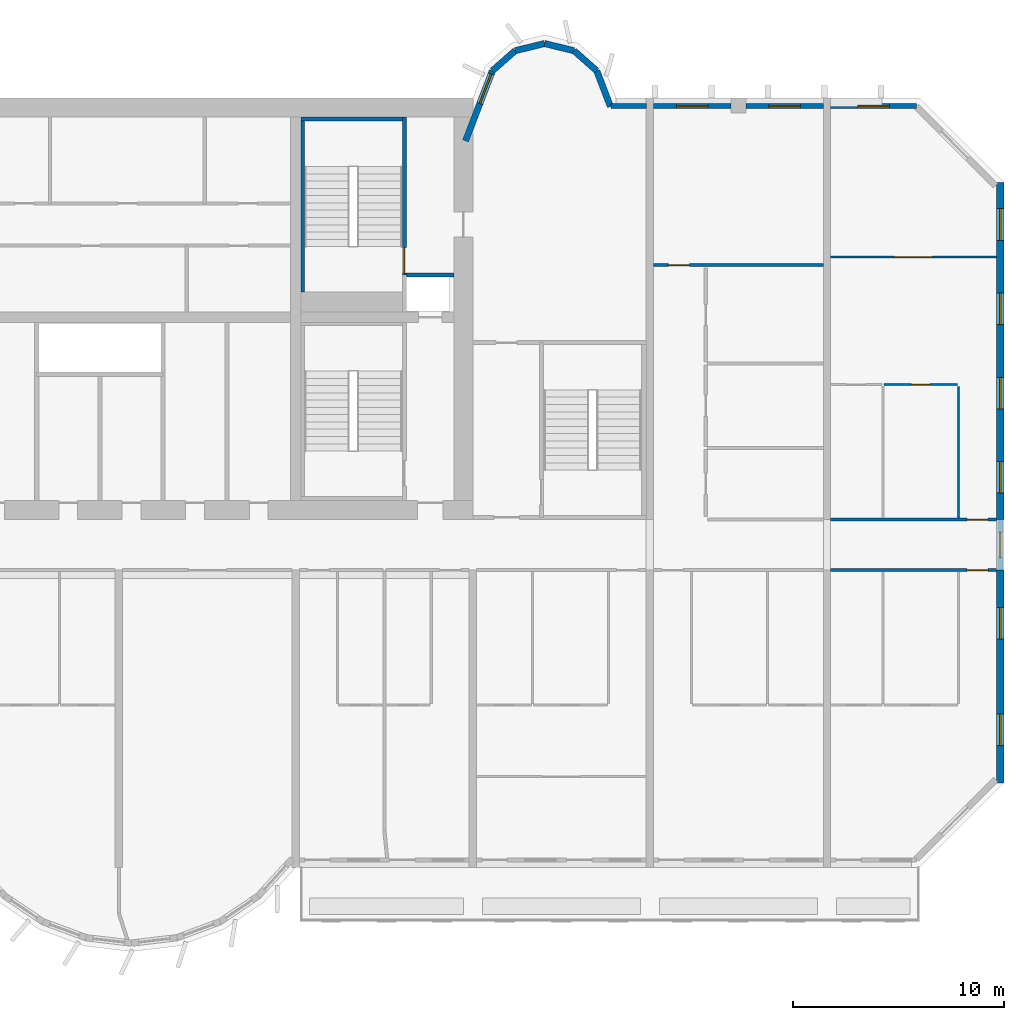
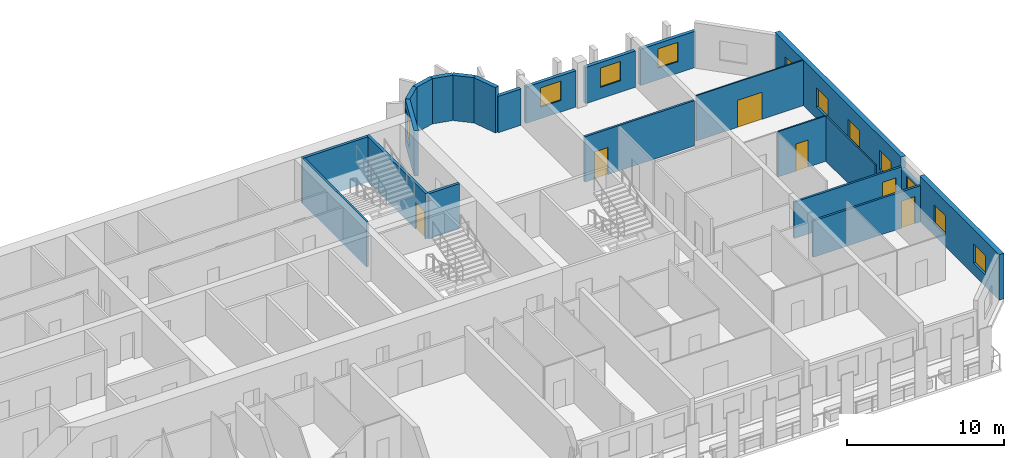
# One storey, part 10 of 14: 23 walls, 11 windows, 6 doors, 17 openings.
"""IFC4 building model written with IfcOpenShell, lengths in metres."""

import ifcopenshell
import ifcopenshell.guid

model = None  # the IFC model being written
_history = None  # IfcOwnerHistory: only IFC2X3 demands one
_inside = {}  # id of a spatial element -> (the spatial element, [elements in it])
_under = {}  # id of a project, library or spatial element -> (it, [spatial elements below it])
_declared = {}  # id of a project -> (the project, [libraries it declares])
_typed = {}  # id of a type object -> (the type object, [elements of that type])
_made_of = {}  # id of a material, layer set ... -> (it, [elements and type objects made of it])


def new_model(schema):
    """Start an empty IFC model of exactly this schema.

    Asked for "IFC4X3", IfcOpenShell would pick the latest addendum, in which some entities
    have other attributes; the version numbers below select the first issue.
    IFC2X3 requires an IfcOwnerHistory on every rooted entity: one is made here for all.
    """
    global model, _history
    if schema == "IFC4X3":
        model = ifcopenshell.file(schema_version=(4, 3, 0, 0))
    else:
        model = ifcopenshell.file(schema=schema)
    _inside.clear()
    _under.clear()
    _declared.clear()
    _typed.clear()
    _made_of.clear()
    _history = None
    if model.schema == "IFC2X3":
        org = make("IfcOrganization", Name="unknown")
        user = make(
            "IfcPersonAndOrganization",
            ThePerson=make("IfcPerson", FamilyName="unknown"),
            TheOrganization=org,
        )
        app = make(
            "IfcApplication",
            ApplicationDeveloper=org,
            Version="unknown",
            ApplicationFullName="unknown",
            ApplicationIdentifier="unknown",
        )
        _history = make(
            "IfcOwnerHistory",
            OwningUser=user,
            OwningApplication=app,
            ChangeAction="ADDED",
            CreationDate=0,
        )
    return model


def make(cls, **values):
    """One entity of the class cls with the attributes given. An attribute that is None is left unset."""
    return model.create_entity(
        cls, **{name: value for name, value in values.items() if value is not None}
    )


def rooted(cls, **values):
    """An entity with a GlobalId (a new one), such as an element, a storey or a relation."""
    return make(cls, GlobalId=ifcopenshell.guid.new(), OwnerHistory=_history, **values)


def si_unit(unit_type, name, prefix=None):
    """IfcSIUnit, for example si_unit("LENGTHUNIT", "METRE", prefix="MILLI")."""
    return make("IfcSIUnit", UnitType=unit_type, Prefix=prefix, Name=name)


def assignment(units):
    """IfcUnitAssignment: the units of a project."""
    return None if units is None else make("IfcUnitAssignment", Units=units)


def point(xyz):
    """IfcCartesianPoint."""
    return None if xyz is None else make("IfcCartesianPoint", Coordinates=xyz)


def direction(xyz):
    """IfcDirection."""
    return None if xyz is None else make("IfcDirection", DirectionRatios=xyz)


def frame(location, z_axis=None, x_axis=None):
    """IfcAxis2Placement3D, a coordinate frame: its origin and axes. An axis left out is left unset."""
    return make(
        "IfcAxis2Placement3D",
        Location=point(location),
        Axis=direction(z_axis),
        RefDirection=direction(x_axis),
    )


def frame_2d(location, x_axis=None):
    """IfcAxis2Placement2D, a coordinate frame in the plane: its origin and x axis."""
    return make(
        "IfcAxis2Placement2D", Location=point(location), RefDirection=direction(x_axis)
    )


def origin():
    """The frame at (0, 0, 0) with its axes left unset."""
    return frame((0.0, 0.0, 0.0))


def place(relative_to, where):
    """IfcLocalPlacement: puts the frame where relative to a parent placement (None: the world)."""
    return make(
        "IfcLocalPlacement", PlacementRelTo=relative_to, RelativePlacement=where
    )


def context(
    kind, dimensions, precision=None, world=None, true_north=None, identifier=None
):
    """IfcGeometricRepresentationContext, for example the 3D "Model" context."""
    return make(
        "IfcGeometricRepresentationContext",
        ContextIdentifier=identifier,
        ContextType=kind,
        CoordinateSpaceDimension=dimensions,
        Precision=precision,
        WorldCoordinateSystem=world,
        TrueNorth=true_north,
    )


def subcontext(parent, identifier, kind, view, scale=None):
    """IfcGeometricRepresentationSubContext, for example "Body" below "Model"."""
    return make(
        "IfcGeometricRepresentationSubContext",
        ContextIdentifier=identifier,
        ContextType=kind,
        ParentContext=parent,
        TargetScale=scale,
        TargetView=view,
    )


def project(units=None, contexts=None):
    """IfcProject with its units and contexts."""
    return rooted(
        "IfcProject",
        Name="project",
        RepresentationContexts=contexts,
        UnitsInContext=assignment(units),
    )


def spatial(cls, under=None, at=None, **own):
    """A site, building, storey or space (cls), placed at a placement, below another one or the project."""
    s = rooted(cls, ObjectPlacement=at, **own)
    if under is not None:
        _under.setdefault(under.id(), (under, []))[1].append(s)
    return s


def profile(cls, at=None, kind="AREA", **sizes):
    """A parametric profile (cls). Its sizes go by their IFC names, for example OverallWidth=200.0."""
    return make(cls, ProfileType=kind, Position=at, **sizes)


def rectangle(**sizes):
    """IfcRectangleProfileDef."""
    return profile("IfcRectangleProfileDef", **sizes)


def extrude(swept, where, along, depth):
    """IfcExtrudedAreaSolid: the profile swept, set in the frame where, extruded along a direction by depth."""
    return make(
        "IfcExtrudedAreaSolid",
        SweptArea=swept,
        Position=where,
        ExtrudedDirection=direction(along),
        Depth=depth,
    )


def shape(context_of_items, identifier, shape_type, items):
    """IfcShapeRepresentation: the items that make up one representation, for example the "Body"."""
    return make(
        "IfcShapeRepresentation",
        ContextOfItems=context_of_items,
        RepresentationIdentifier=identifier,
        RepresentationType=shape_type,
        Items=items,
    )


def source(mapping_origin, context_of_items, identifier, shape_type, items):
    """IfcRepresentationMap: a shape defined once, which mapped items show again and again."""
    return make(
        "IfcRepresentationMap",
        MappingOrigin=mapping_origin,
        MappedRepresentation=shape(context_of_items, identifier, shape_type, items),
    )


def transform(
    local_origin,
    x_axis=None,
    y_axis=None,
    z_axis=None,
    scale=None,
    scale2=None,
    scale3=None,
    uniform=True,
):
    """IfcCartesianTransformationOperator3D, or its non-uniform kind. x_axis, y_axis, z_axis: its Axis1, 2, 3."""
    if uniform:
        return make(
            "IfcCartesianTransformationOperator3D",
            Axis1=direction(x_axis),
            Axis2=direction(y_axis),
            LocalOrigin=point(local_origin),
            Scale=scale,
            Axis3=direction(z_axis),
        )
    return make(
        "IfcCartesianTransformationOperator3DnonUniform",
        Axis1=direction(x_axis),
        Axis2=direction(y_axis),
        LocalOrigin=point(local_origin),
        Scale=scale,
        Axis3=direction(z_axis),
        Scale2=scale2,
        Scale3=scale3,
    )


def mapped(mapping_source, mapping_target):
    """IfcMappedItem: shows the shape of a source again, moved by a transform."""
    return make(
        "IfcMappedItem", MappingSource=mapping_source, MappingTarget=mapping_target
    )


def material(Name=None, Category=None):
    """IfcMaterial."""
    return make("IfcMaterial", Name=Name, Category=Category)


def layer(
    of_material, thickness, ventilated=None, Name=None, Category=None, Priority=None
):
    """IfcMaterialLayer: one layer of a wall or slab, of a material (None: an air gap)."""
    return make(
        "IfcMaterialLayer",
        Material=of_material,
        LayerThickness=thickness,
        IsVentilated=ventilated,
        Name=Name,
        Category=Category,
        Priority=Priority,
    )


def layer_set(layers, Name=None):
    """IfcMaterialLayerSet."""
    return make("IfcMaterialLayerSet", MaterialLayers=layers, LayerSetName=Name)


def made_of(thing, what):
    """Note that an element or type object is made of a material, layer set ...; save() writes the relation."""
    if what is not None:
        _made_of.setdefault(what.id(), (what, []))[1].append(thing)
    return thing


def type_object(cls, material=None, **own):
    """A type object (cls), such as IfcWallType, which elements share."""
    return made_of(rooted(cls, **own), material)


def element(
    cls,
    number,
    at=None,
    inside=None,
    cuts=None,
    type_object=None,
    material=None,
    context=None,
    identifier="Body",
    shape_type=None,
    held_by="IfcProductDefinitionShape",
    body=None,
    shapes=None,
    **own,
):
    """One element of the class cls, such as IfcWall. Its Tag is "e" and its number.

    at: its placement. inside: the storey or other place that contains it. cuts: it is an
    opening in that element (IfcRelVoidsElement). A single representation is given by context,
    identifier, shape_type and body (its items); several are given by shapes. held_by: the class
    of the entity that holds the representations. save() writes the other relations.
    """
    e = rooted(cls, Tag="e%d" % number, ObjectPlacement=at, **own)
    if body is not None:
        shapes = [shape(context, identifier, shape_type, body)]
    if shapes is not None:
        e.Representation = make(held_by, Representations=shapes)
    if inside is not None:
        _inside.setdefault(inside.id(), (inside, []))[1].append(e)
    if cuts is not None:
        rooted(
            "IfcRelVoidsElement", RelatingBuildingElement=cuts, RelatedOpeningElement=e
        )
    if type_object is not None:
        _typed.setdefault(type_object.id(), (type_object, []))[1].append(e)
    return made_of(e, material)


def fill(opening, filler):
    """IfcRelFillsElement: the door or window that sits in an opening."""
    return rooted(
        "IfcRelFillsElement",
        RelatingOpeningElement=opening,
        RelatedBuildingElement=filler,
    )


def aggregate(whole, parts):
    """IfcRelAggregates: a whole, such as a stair, and the parts it consists of."""
    return rooted("IfcRelAggregates", RelatingObject=whole, RelatedObjects=parts)


def save(model, path):
    """Write the relations noted so far, then the file.

    IfcRelAggregates (storeys below a building ...), IfcRelContainedInSpatialStructure (elements
    in a storey), IfcRelDefinesByType, IfcRelAssociatesMaterial and IfcRelDeclares: one each for
    every whole, place, type object, material and project.
    """
    for whole, parts in _under.values():
        aggregate(whole, parts)
    for where, things in _inside.values():
        rooted(
            "IfcRelContainedInSpatialStructure",
            RelatedElements=things,
            RelatingStructure=where,
        )
    for kind, things in _typed.values():
        rooted("IfcRelDefinesByType", RelatedObjects=things, RelatingType=kind)
    for what, things in _made_of.values():
        rooted("IfcRelAssociatesMaterial", RelatedObjects=things, RelatingMaterial=what)
    for by, libraries in _declared.values():
        rooted("IfcRelDeclares", RelatingContext=by, RelatedDefinitions=libraries)
    model.write(path)


model = new_model("IFC4")

# Units and contexts
model_context = context("Model", 3, precision=1e-05, world=origin(), true_north=direction((0.0, 1.0)))
body_context = subcontext(model_context, "Body", "Model", "MODEL_VIEW")
ifc_project = project(units=[si_unit("LENGTHUNIT", "METRE"), si_unit("AREAUNIT", "SQUARE_METRE"), si_unit("VOLUMEUNIT", "CUBIC_METRE"), si_unit("PLANEANGLEUNIT", "RADIAN"), si_unit("MASSUNIT", "GRAM", prefix="KILO")], contexts=[model_context])

# Site, building, storey
site_placement = place(None, origin())
site = spatial("IfcSite", under=ifc_project, at=site_placement, CompositionType="ELEMENT")
building_placement = place(site_placement, origin())
building = spatial("IfcBuilding", under=site, at=building_placement, Name="Vanashikhar Sky Hotel", CompositionType="ELEMENT")
storey_placement = place(building_placement, frame((0.0, 0.0, 114.199951171875)))
storey = spatial("IfcBuildingStorey", under=building, at=storey_placement, Name="L27", CompositionType="ELEMENT", Elevation=114.199951171875)

# Wall, openings, windows
ifc_material_1 = material(Name="Concrete M70", Category="concrete")
ifc_layer_1 = layer(ifc_material_1, 0.35009765625)
ifc_layer_set_1 = layer_set([ifc_layer_1], Name="RC shear wall 350 Concrete M70")
wall_type_1 = type_object("IfcWallType", Name="RC shear wall 350 Concrete M70", PredefinedType="SHEAR", material=ifc_layer_set_1)
shared_shape_1 = source(origin(), body_context, "Body", "SweptSolid", [
    extrude(rectangle(XDim=10.10009765625, YDim=0.35009765625, at=frame_2d((5.050048828125, 0.0))), origin(), (0.0, 0.0, 1.0), 3.52001953125),
])
wall_1_placement = place(storey_placement, frame((100.625, 9.5, 0.0), z_axis=(0.0, 0.0, 1.0), x_axis=(0.0, 1.0, 0.0)))
wall_1 = element("IfcWall", 1, at=wall_1_placement, inside=storey, type_object=wall_type_1, Name="CW-L27-XW13-1", PredefinedType="SHEAR", context=body_context, shape_type="MappedRepresentation", body=[
    mapped(shared_shape_1, transform((0.0, 0.0, 0.0), scale=1.0)),
])
shared_shape_2 = source(origin(), body_context, "Body", "SweptSolid", [
    extrude(rectangle(XDim=1.5, YDim=1.5, at=frame_2d((0.75, 0.75))), frame((0.0, 0.18505859375, 0.0), z_axis=(0.0, -1.0, 0.0), x_axis=(1.0, 0.0, 0.0)), (0.0, 0.0, 1.0), 0.3701171875),
])
opening_1_placement = place(wall_1_placement, frame((1.77490234375, 0.0, 0.89990234375)))
opening_1 = element("IfcOpeningElement", 2, at=opening_1_placement, cuts=wall_1, Name="Opening WN-1", PredefinedType="OPENING", context=body_context, shape_type="MappedRepresentation", body=[
    mapped(shared_shape_2, transform((0.0, 0.0, 0.0), scale=1.0)),
])
opening_2_placement = place(wall_1_placement, frame((6.824951171875, 0.0, 0.89990234375)))
opening_2 = element("IfcOpeningElement", 3, at=opening_2_placement, cuts=wall_1, Name="Opening WN-1", PredefinedType="OPENING", context=body_context, shape_type="MappedRepresentation", body=[
    mapped(shared_shape_2, transform((0.0, 0.0, 0.0), scale=1.0)),
])
ifc_material_2 = material(Name="Glass", Category="glass")
window_type_1 = type_object("IfcWindowType", Name="Window 1500 x 1500", PartitioningType="SINGLE_PANEL", PredefinedType="WINDOW", material=ifc_material_2)
shared_shape_3 = source(origin(), body_context, "Body", "SweptSolid", [
    extrude(rectangle(XDim=1.5, YDim=1.5, at=frame_2d((0.75, 0.75))), frame((0.0, 0.030029296875, 0.0), z_axis=(0.0, -1.0, 0.0), x_axis=(1.0, 0.0, 0.0)), (0.0, 0.0, 1.0), 0.06005859375),
])
window_1_placement = place(opening_1_placement, origin())
window_1 = element("IfcWindow", 4, at=window_1_placement, inside=storey, type_object=window_type_1, Name="Window WN-1", OverallHeight=1.5, OverallWidth=1.5, PartitioningType="SINGLE_PANEL", PredefinedType="WINDOW", context=body_context, shape_type="MappedRepresentation", body=[
    mapped(shared_shape_3, transform((0.0, 0.0, 0.0), scale=1.0)),
])
fill(opening_1, window_1)
window_2_placement = place(opening_2_placement, origin())
window_2 = element("IfcWindow", 5, at=window_2_placement, inside=storey, type_object=window_type_1, Name="Window WN-1", OverallHeight=1.5, OverallWidth=1.5, PartitioningType="SINGLE_PANEL", PredefinedType="WINDOW", context=body_context, shape_type="MappedRepresentation", body=[
    mapped(shared_shape_3, transform((0.0, 0.0, 0.0), scale=1.0)),
])
fill(opening_2, window_2)

shared_shape_4 = source(origin(), body_context, "Body", "SweptSolid", [
    extrude(rectangle(XDim=16.0, YDim=0.35009765625, at=frame_2d((8.0, 0.0))), origin(), (0.0, 0.0, 1.0), 3.52001953125),
])
wall_2_placement = place(storey_placement, frame((100.625, 22.0, 0.0), z_axis=(0.0, 0.0, 1.0), x_axis=(0.0, 1.0, 0.0)))
wall_2 = element("IfcWall", 6, at=wall_2_placement, inside=storey, type_object=wall_type_1, Name="CW-L27-XW13-2", PredefinedType="SHEAR", context=body_context, shape_type="MappedRepresentation", body=[
    mapped(shared_shape_4, transform((0.0, 0.0, 0.0), scale=1.0)),
])
opening_3_placement = place(wall_2_placement, frame((1.25, 0.0, 0.89990234375)))
opening_3 = element("IfcOpeningElement", 7, at=opening_3_placement, cuts=wall_2, Name="Opening WN-1", PredefinedType="OPENING", context=body_context, shape_type="MappedRepresentation", body=[
    mapped(shared_shape_2, transform((0.0, 0.0, 0.0), scale=1.0)),
])
opening_4_placement = place(wall_2_placement, frame((5.25, 0.0, 0.89990234375)))
opening_4 = element("IfcOpeningElement", 8, at=opening_4_placement, cuts=wall_2, Name="Opening WN-1", PredefinedType="OPENING", context=body_context, shape_type="MappedRepresentation", body=[
    mapped(shared_shape_2, transform((0.0, 0.0, 0.0), scale=1.0)),
])
opening_5_placement = place(wall_2_placement, frame((9.25, 0.0, 0.89990234375)))
opening_5 = element("IfcOpeningElement", 9, at=opening_5_placement, cuts=wall_2, Name="Opening WN-1", PredefinedType="OPENING", context=body_context, shape_type="MappedRepresentation", body=[
    mapped(shared_shape_2, transform((0.0, 0.0, 0.0), scale=1.0)),
])
opening_6_placement = place(wall_2_placement, frame((13.25, 0.0, 0.89990234375)))
opening_6 = element("IfcOpeningElement", 10, at=opening_6_placement, cuts=wall_2, Name="Opening WN-1", PredefinedType="OPENING", context=body_context, shape_type="MappedRepresentation", body=[
    mapped(shared_shape_2, transform((0.0, 0.0, 0.0), scale=1.0)),
])
window_3_placement = place(opening_3_placement, origin())
window_3 = element("IfcWindow", 11, at=window_3_placement, inside=storey, type_object=window_type_1, Name="Window WN-1", OverallHeight=1.5, OverallWidth=1.5, PartitioningType="SINGLE_PANEL", PredefinedType="WINDOW", context=body_context, shape_type="MappedRepresentation", body=[
    mapped(shared_shape_3, transform((0.0, 0.0, 0.0), scale=1.0)),
])
fill(opening_3, window_3)
window_4_placement = place(opening_4_placement, origin())
window_4 = element("IfcWindow", 12, at=window_4_placement, inside=storey, type_object=window_type_1, Name="Window WN-1", OverallHeight=1.5, OverallWidth=1.5, PartitioningType="SINGLE_PANEL", PredefinedType="WINDOW", context=body_context, shape_type="MappedRepresentation", body=[
    mapped(shared_shape_3, transform((0.0, 0.0, 0.0), scale=1.0)),
])
fill(opening_4, window_4)
window_5_placement = place(opening_5_placement, origin())
window_5 = element("IfcWindow", 13, at=window_5_placement, inside=storey, type_object=window_type_1, Name="Window WN-1", OverallHeight=1.5, OverallWidth=1.5, PartitioningType="SINGLE_PANEL", PredefinedType="WINDOW", context=body_context, shape_type="MappedRepresentation", body=[
    mapped(shared_shape_3, transform((0.0, 0.0, 0.0), scale=1.0)),
])
fill(opening_5, window_5)
window_6_placement = place(opening_6_placement, origin())
window_6 = element("IfcWindow", 14, at=window_6_placement, inside=storey, type_object=window_type_1, Name="Window WN-1", OverallHeight=1.5, OverallWidth=1.5, PartitioningType="SINGLE_PANEL", PredefinedType="WINDOW", context=body_context, shape_type="MappedRepresentation", body=[
    mapped(shared_shape_3, transform((0.0, 0.0, 0.0), scale=1.0)),
])
fill(opening_6, window_6)

# Wall, opening, window
ifc_material_3 = material(Name="Concrete M50", Category="concrete")
ifc_layer_2 = layer(ifc_material_3, 0.300048828125)
ifc_layer_set_2 = layer_set([ifc_layer_2], Name="Lobe wall 300")
wall_type_2 = type_object("IfcWallType", Name="Lobe wall 300", PredefinedType="SOLIDWALL", material=ifc_layer_set_2)
shared_shape_5 = source(origin(), body_context, "Body", "SweptSolid", [
    extrude(rectangle(XDim=3.55908203125, YDim=0.300048828125, at=frame_2d((1.779541015625, 0.0))), origin(), (0.0, 0.0, 1.0), 3.52001953125),
])
wall_3_placement = place(storey_placement, frame((76.5234375, 43.2919921875, 0.0), z_axis=(0.0, 0.0, 1.0), x_axis=(-0.35779745313, -0.933799219604, 0.0)))
wall_3 = element("IfcWall", 15, at=wall_3_placement, inside=storey, type_object=wall_type_2, Name="Lobe wall", PredefinedType="SOLIDWALL", context=body_context, shape_type="MappedRepresentation", body=[
    mapped(shared_shape_5, transform((0.0, 0.0, 0.0), scale=1.0)),
])
shared_shape_6 = source(origin(), body_context, "Body", "SweptSolid", [
    extrude(rectangle(XDim=1.5, YDim=2.0, at=frame_2d((0.75, 1.0))), frame((0.0, 0.16015625, 0.0), z_axis=(0.0, -1.0, 0.0), x_axis=(1.0, 0.0, 0.0)), (0.0, 0.0, 1.0), 0.320068359375),
])
opening_7_placement = place(wall_3_placement, frame((0.156005859375, 0.0, 0.89990234375)))
opening_7 = element("IfcOpeningElement", 16, at=opening_7_placement, cuts=wall_3, Name="Opening WN-2", PredefinedType="OPENING", context=body_context, shape_type="MappedRepresentation", body=[
    mapped(shared_shape_6, transform((0.0, 0.0, 0.0), scale=1.0)),
])
window_type_2 = type_object("IfcWindowType", Name="Lobe window 1500 x 2000", PartitioningType="SINGLE_PANEL", PredefinedType="WINDOW", material=ifc_material_2)
shared_shape_7 = source(origin(), body_context, "Body", "SweptSolid", [
    extrude(rectangle(XDim=1.5, YDim=2.0, at=frame_2d((0.75, 1.0))), frame((0.0, 0.030029296875, 0.0), z_axis=(0.0, -1.0, 0.0), x_axis=(1.0, 0.0, 0.0)), (0.0, 0.0, 1.0), 0.06005859375),
])
window_7_placement = place(opening_7_placement, origin())
window_7 = element("IfcWindow", 17, at=window_7_placement, inside=storey, type_object=window_type_2, Name="Window WN-2", OverallHeight=2.0, OverallWidth=1.5, PartitioningType="SINGLE_PANEL", PredefinedType="WINDOW", context=body_context, shape_type="MappedRepresentation", body=[
    mapped(shared_shape_7, transform((0.0, 0.0, 0.0), scale=1.0)),
])
fill(opening_7, window_7)

# Walls
shared_shape_8 = source(origin(), body_context, "Body", "SweptSolid", [
    extrude(rectangle(XDim=1.438720703125, YDim=0.300048828125, at=frame_2d((0.71923828125, 0.0))), origin(), (0.0, 0.0, 1.0), 3.52001953125),
])
for number, where, z_axis, x_axis, name in (
    (18, (80.397216796875, 44.2451171875, 0.0), (0.0, 0.0, 1.0), (-0.971161932466, 0.238420848351, 0.0), "Lobe wall"),
    (19, (79.0, 44.588134765625, 0.0), (0.0, 0.0, 1.0), (-0.971161932466, -0.238420848351, 0.0), "Lobe wall"),
):
    element("IfcWall", number, at=place(storey_placement, frame(where, z_axis=z_axis, x_axis=x_axis)), inside=storey, type_object=wall_type_2, Name=name, PredefinedType="SOLIDWALL", context=body_context, shape_type="MappedRepresentation", body=[
        mapped(shared_shape_8, transform((0.0, 0.0, 0.0), scale=1.0)),
    ])
shared_shape_9 = source(origin(), body_context, "Body", "SweptSolid", [
    extrude(rectangle(XDim=1.43994140625, YDim=0.300048828125, at=frame_2d((0.719970703125, 0.0))), origin(), (0.0, 0.0, 1.0), 3.52001953125),
])
for number, where, z_axis, x_axis, name in (
    (20, (81.4765625, 43.2919921875, 0.0), (0.0, 0.0, 1.0), (-0.74957555648, 0.661918790432, 0.0), "Lobe wall"),
    (21, (77.602783203125, 44.2451171875, 0.0), (0.0, 0.0, 1.0), (-0.74957555648, -0.661918790432, 0.0), "Lobe wall"),
):
    element("IfcWall", number, at=place(storey_placement, frame(where, z_axis=z_axis, x_axis=x_axis)), inside=storey, type_object=wall_type_2, Name=name, PredefinedType="SOLIDWALL", context=body_context, shape_type="MappedRepresentation", body=[
        mapped(shared_shape_9, transform((0.0, 0.0, 0.0), scale=1.0)),
    ])
shared_shape_10 = source(origin(), body_context, "Body", "SweptSolid", [
    extrude(rectangle(XDim=1.81201171875, YDim=0.300048828125, at=frame_2d((0.906005859375, 0.0))), origin(), (0.0, 0.0, 1.0), 3.52001953125),
])
wall_4_placement = place(storey_placement, frame((82.125, 41.60009765625, 0.0), z_axis=(0.0, 0.0, 1.0), x_axis=(-0.357877270961, 0.93376863244, 0.0)))
element("IfcWall", 22, at=wall_4_placement, inside=storey, type_object=wall_type_2, Name="Lobe wall", PredefinedType="SOLIDWALL", context=body_context, shape_type="MappedRepresentation", body=[
    mapped(shared_shape_10, transform((0.0, 0.0, 0.0), scale=1.0)),
])

# Wall, opening, window
ifc_layer_3 = layer(ifc_material_3, 0.25)
ifc_layer_set_3 = layer_set([ifc_layer_3], Name="Rear and end board-marked wall 250")
wall_type_3 = type_object("IfcWallType", Name="Rear and end board-marked wall 250", PredefinedType="SOLIDWALL", material=ifc_layer_set_3)
shared_shape_11 = source(origin(), body_context, "Body", "SweptSolid", [
    extrude(rectangle(XDim=2.39990234375, YDim=0.25, at=frame_2d((1.199951171875, 0.0))), origin(), (0.0, 0.0, 1.0), 2.6201171875),
])
wall_5_placement = place(storey_placement, frame((100.625, 19.60009765625, 0.0), z_axis=(0.0, 0.0, 1.0), x_axis=(0.0, 1.0, 0.0)))
wall_5 = element("IfcWall", 23, at=wall_5_placement, inside=storey, type_object=wall_type_3, Name="End corridor infill wall", PredefinedType="SOLIDWALL", context=body_context, shape_type="MappedRepresentation", body=[
    mapped(shared_shape_11, transform((0.0, 0.0, 0.0), scale=1.0)),
])
shared_shape_12 = source(origin(), body_context, "Body", "SweptSolid", [
    extrude(rectangle(XDim=1.199951171875, YDim=1.5, at=frame_2d((0.60009765625, 0.75))), frame((0.0, 0.135009765625, 0.0), z_axis=(0.0, -1.0, 0.0), x_axis=(1.0, 0.0, 0.0)), (0.0, 0.0, 1.0), 0.27001953125),
])
opening_8_placement = place(wall_5_placement, frame((0.60009765625, 0.0, 0.89990234375)))
opening_8 = element("IfcOpeningElement", 24, at=opening_8_placement, cuts=wall_5, Name="Opening WN-3", PredefinedType="OPENING", context=body_context, shape_type="MappedRepresentation", body=[
    mapped(shared_shape_12, transform((0.0, 0.0, 0.0), scale=1.0)),
])
window_type_3 = type_object("IfcWindowType", Name="Corridor end window 1200 x 1500", PartitioningType="SINGLE_PANEL", PredefinedType="WINDOW", material=ifc_material_2)
shared_shape_13 = source(origin(), body_context, "Body", "SweptSolid", [
    extrude(rectangle(XDim=1.199951171875, YDim=1.5, at=frame_2d((0.60009765625, 0.75))), frame((0.0, 0.030029296875, 0.0), z_axis=(0.0, -1.0, 0.0), x_axis=(1.0, 0.0, 0.0)), (0.0, 0.0, 1.0), 0.06005859375),
])
window_8_placement = place(opening_8_placement, origin())
window_8 = element("IfcWindow", 25, at=window_8_placement, inside=storey, type_object=window_type_3, Name="Window WN-3", OverallHeight=1.5, OverallWidth=1.199951171875, PartitioningType="SINGLE_PANEL", PredefinedType="WINDOW", context=body_context, shape_type="MappedRepresentation", body=[
    mapped(shared_shape_13, transform((0.0, 0.0, 0.0), scale=1.0)),
])
fill(opening_8, window_8)

shared_shape_14 = source(origin(), body_context, "Body", "SweptSolid", [
    extrude(rectangle(XDim=4.06982421875, YDim=0.25, at=frame_2d((2.034912109375, 0.0))), origin(), (0.0, 0.0, 1.0), 2.820068359375),
])
wall_6_placement = place(storey_placement, frame((96.644775390625, 41.625, 0.0), z_axis=(0.0, 0.0, 1.0), x_axis=(-1.0, 0.0, 0.0)))
wall_6 = element("IfcWall", 26, at=wall_6_placement, inside=storey, type_object=wall_type_3, Name="Rear board-marked wall", PredefinedType="SOLIDWALL", context=body_context, shape_type="MappedRepresentation", body=[
    mapped(shared_shape_14, transform((0.0, 0.0, 0.0), scale=1.0)),
])
shared_shape_15 = source(origin(), body_context, "Body", "SweptSolid", [
    extrude(rectangle(XDim=1.5, YDim=1.5, at=frame_2d((0.75, 0.75))), frame((0.0, 0.135009765625, 0.0), z_axis=(0.0, -1.0, 0.0), x_axis=(1.0, 0.0, 0.0)), (0.0, 0.0, 1.0), 0.27001953125),
])
opening_9_placement = place(wall_6_placement, frame((1.284912109375, 0.0, 0.89990234375)))
opening_9 = element("IfcOpeningElement", 27, at=opening_9_placement, cuts=wall_6, Name="Opening WN-1", PredefinedType="OPENING", context=body_context, shape_type="MappedRepresentation", body=[
    mapped(shared_shape_15, transform((0.0, 0.0, 0.0), scale=1.0)),
])
window_9_placement = place(opening_9_placement, origin())
window_9 = element("IfcWindow", 28, at=window_9_placement, inside=storey, type_object=window_type_1, Name="Window WN-1", OverallHeight=1.5, OverallWidth=1.5, PartitioningType="SINGLE_PANEL", PredefinedType="WINDOW", context=body_context, shape_type="MappedRepresentation", body=[
    mapped(shared_shape_3, transform((0.0, 0.0, 0.0), scale=1.0)),
])
fill(opening_9, window_9)

shared_shape_16 = source(origin(), body_context, "Body", "SweptSolid", [
    extrude(rectangle(XDim=3.675048828125, YDim=0.25, at=frame_2d((1.83740234375, 0.0))), origin(), (0.0, 0.0, 1.0), 2.820068359375),
])
wall_7_placement = place(storey_placement, frame((87.85009765625, 41.625, 0.0), z_axis=(0.0, 0.0, 1.0), x_axis=(-1.0, 0.0, 0.0)))
wall_7 = element("IfcWall", 29, at=wall_7_placement, inside=storey, type_object=wall_type_3, Name="Rear board-marked wall", PredefinedType="SOLIDWALL", context=body_context, shape_type="MappedRepresentation", body=[
    mapped(shared_shape_16, transform((0.0, 0.0, 0.0), scale=1.0)),
])
opening_10_placement = place(wall_7_placement, frame((1.08740234375, 0.0, 0.89990234375)))
opening_10 = element("IfcOpeningElement", 30, at=opening_10_placement, cuts=wall_7, Name="Opening WN-1", PredefinedType="OPENING", context=body_context, shape_type="MappedRepresentation", body=[
    mapped(shared_shape_15, transform((0.0, 0.0, 0.0), scale=1.0)),
])
window_10_placement = place(opening_10_placement, origin())
window_10 = element("IfcWindow", 31, at=window_10_placement, inside=storey, type_object=window_type_1, Name="Window WN-1", OverallHeight=1.5, OverallWidth=1.5, PartitioningType="SINGLE_PANEL", PredefinedType="WINDOW", context=body_context, shape_type="MappedRepresentation", body=[
    mapped(shared_shape_3, transform((0.0, 0.0, 0.0), scale=1.0)),
])
fill(opening_10, window_10)

wall_8_placement = place(storey_placement, frame((92.22509765625, 41.625, 0.0), z_axis=(0.0, 0.0, 1.0), x_axis=(-1.0, 0.0, 0.0)))
wall_8 = element("IfcWall", 32, at=wall_8_placement, inside=storey, type_object=wall_type_3, Name="Rear board-marked wall", PredefinedType="SOLIDWALL", context=body_context, shape_type="MappedRepresentation", body=[
    mapped(shared_shape_16, transform((0.0, 0.0, 0.0), scale=1.0)),
])
opening_11_placement = place(wall_8_placement, frame((1.08740234375, 0.0, 0.89990234375)))
opening_11 = element("IfcOpeningElement", 33, at=opening_11_placement, cuts=wall_8, Name="Opening WN-1", PredefinedType="OPENING", context=body_context, shape_type="MappedRepresentation", body=[
    mapped(shared_shape_15, transform((0.0, 0.0, 0.0), scale=1.0)),
])
window_11_placement = place(opening_11_placement, origin())
window_11 = element("IfcWindow", 34, at=window_11_placement, inside=storey, type_object=window_type_1, Name="Window WN-1", OverallHeight=1.5, OverallWidth=1.5, PartitioningType="SINGLE_PANEL", PredefinedType="WINDOW", context=body_context, shape_type="MappedRepresentation", body=[
    mapped(shared_shape_3, transform((0.0, 0.0, 0.0), scale=1.0)),
])
fill(opening_11, window_11)

# Wall
shared_shape_17 = source(origin(), body_context, "Body", "SweptSolid", [
    extrude(rectangle(XDim=1.682861328125, YDim=0.25, at=frame_2d((0.84130859375, 0.0))), origin(), (0.0, 0.0, 1.0), 2.820068359375),
])
wall_9_placement = place(storey_placement, frame((83.824951171875, 41.625, 0.0), z_axis=(0.0, 0.0, 1.0), x_axis=(-1.0, 0.0, 0.0)))
element("IfcWall", 35, at=wall_9_placement, inside=storey, type_object=wall_type_3, Name="Rear board-marked wall", PredefinedType="SOLIDWALL", context=body_context, shape_type="MappedRepresentation", body=[
    mapped(shared_shape_17, transform((0.0, 0.0, 0.0), scale=1.0)),
])

# Wall, opening, door
ifc_layer_4 = layer(ifc_material_3, 0.199951171875)
ifc_layer_set_4 = layer_set([ifc_layer_4], Name="Stair wall 200")
wall_type_4 = type_object("IfcWallType", Name="Stair wall 200", PredefinedType="SOLIDWALL", material=ifc_layer_set_4)
shared_shape_18 = source(origin(), body_context, "Body", "SweptSolid", [
    extrude(rectangle(XDim=7.5, YDim=0.199951171875, at=frame_2d((3.75, 0.0))), origin(), (0.0, 0.0, 1.0), 3.52001953125),
])
wall_10_placement = place(storey_placement, frame((72.35009765625, 33.60009765625, 0.0), z_axis=(0.0, 0.0, 1.0), x_axis=(0.0, 1.0, 0.0)))
wall_10 = element("IfcWall", 36, at=wall_10_placement, inside=storey, type_object=wall_type_4, Name="Stair wall 200", PredefinedType="SOLIDWALL", context=body_context, shape_type="MappedRepresentation", body=[
    mapped(shared_shape_18, transform((0.0, 0.0, 0.0), scale=1.0)),
])
shared_shape_19 = source(origin(), body_context, "Body", "SweptSolid", [
    extrude(rectangle(XDim=1.199951171875, YDim=2.10009765625, at=frame_2d((0.60009765625, 1.050048828125))), frame((0.0, 0.10986328125, 0.0), z_axis=(0.0, -1.0, 0.0), x_axis=(1.0, 0.0, 0.0)), (0.0, 0.0, 1.0), 0.219970703125),
])
opening_12_placement = place(wall_10_placement, frame((0.10009765625, 0.0, 0.0)))
opening_12 = element("IfcOpeningElement", 37, at=opening_12_placement, cuts=wall_10, Name="Opening DC-1", PredefinedType="OPENING", context=body_context, shape_type="MappedRepresentation", body=[
    mapped(shared_shape_19, transform((0.0, 0.0, 0.0), scale=1.0)),
])
ifc_material_4 = material(Name="Steel", Category="steel")
door_type_1 = type_object("IfcDoorType", Name="Stair door 1200 FD120", OperationType="NOTDEFINED", PredefinedType="DOOR", material=ifc_material_4)
shared_shape_20 = source(origin(), body_context, "Body", "SweptSolid", [
    extrude(rectangle(XDim=1.199951171875, YDim=2.10009765625, at=frame_2d((0.60009765625, 1.050048828125))), frame((0.0, 0.02490234375, 0.0), z_axis=(0.0, -1.0, 0.0), x_axis=(1.0, 0.0, 0.0)), (0.0, 0.0, 1.0), 0.050048828125),
])
door_1_placement = place(opening_12_placement, origin())
door_1 = element("IfcDoor", 38, at=door_1_placement, inside=storey, type_object=door_type_1, Name="Stair door 1200 FD120", OperationType="SINGLE_SWING_RIGHT", OverallHeight=2.10009765625, OverallWidth=1.199951171875, PredefinedType="DOOR", context=body_context, shape_type="MappedRepresentation", body=[
    mapped(shared_shape_20, transform((0.0, 0.0, 0.0), scale=1.0)),
])
fill(opening_12, door_1)

# Walls
ifc_material_5 = material(Name="Concrete M40", Category="concrete")
ifc_layer_5 = layer(ifc_material_5, 0.199951171875)
ifc_layer_set_5 = layer_set([ifc_layer_5], Name="Shaft wall 200")
wall_type_5 = type_object("IfcWallType", Name="Shaft wall 200", PredefinedType="SOLIDWALL", material=ifc_layer_set_5)
shared_shape_21 = source(origin(), body_context, "Body", "SweptSolid", [
    extrude(rectangle(XDim=2.25, YDim=0.199951171875, at=frame_2d((1.125, 0.0))), origin(), (0.0, 0.0, 1.0), 3.52001953125),
])
wall_11_placement = place(storey_placement, frame((72.449951171875, 33.60009765625, 0.0), z_axis=(0.0, 0.0, 1.0), x_axis=(1.0, 0.0, 0.0)))
element("IfcWall", 39, at=wall_11_placement, inside=storey, type_object=wall_type_5, Name="Shaft wall 200", PredefinedType="SOLIDWALL", context=body_context, shape_type="MappedRepresentation", body=[
    mapped(shared_shape_21, transform((0.0, 0.0, 0.0), scale=1.0)),
])
ifc_layer_6 = layer(ifc_material_3, 0.199951171875)
ifc_layer_set_6 = layer_set([ifc_layer_6], Name="Stair infill wall 200")
wall_type_6 = type_object("IfcWallType", Name="Stair infill wall 200", PredefinedType="SOLIDWALL", material=ifc_layer_set_6)
shared_shape_22 = source(origin(), body_context, "Body", "SweptSolid", [
    extrude(rectangle(XDim=4.800048828125, YDim=0.199951171875, at=frame_2d((2.39990234375, 0.0))), origin(), (0.0, 0.0, 1.0), 3.52001953125),
])
wall_12_placement = place(storey_placement, frame((67.449951171875, 41.0, 0.0), z_axis=(0.0, 0.0, 1.0), x_axis=(1.0, 0.0, 0.0)))
element("IfcWall", 40, at=wall_12_placement, inside=storey, type_object=wall_type_6, Name="Stair infill wall 200", PredefinedType="SOLIDWALL", context=body_context, shape_type="MappedRepresentation", body=[
    mapped(shared_shape_22, transform((0.0, 0.0, 0.0), scale=1.0)),
])
ifc_layer_7 = layer(ifc_material_3, 0.14990234375)
ifc_layer_set_7 = layer_set([ifc_layer_7], Name="Stair infill wall 150")
wall_type_7 = type_object("IfcWallType", Name="Stair infill wall 150", PredefinedType="SOLIDWALL", material=ifc_layer_set_7)
shared_shape_23 = source(origin(), body_context, "Body", "SweptSolid", [
    extrude(rectangle(XDim=8.099853515625, YDim=0.14990234375, at=frame_2d((4.0498046875, 0.0))), origin(), (0.0, 0.0, 1.0), 3.52001953125),
])
wall_13_placement = place(storey_placement, frame((67.52490234375, 32.800048828125, 0.0), z_axis=(0.0, 0.0, 1.0), x_axis=(0.0, 1.0, 0.0)))
element("IfcWall", 41, at=wall_13_placement, inside=storey, type_object=wall_type_7, Name="Stair infill wall 150", PredefinedType="SOLIDWALL", context=body_context, shape_type="MappedRepresentation", body=[
    mapped(shared_shape_23, transform((0.0, 0.0, 0.0), scale=1.0)),
])

# Wall, opening, door
ifc_material_6 = material(Name="Gypsum plasterboard partition")
ifc_layer_8 = layer(ifc_material_6, 0.10009765625)
ifc_layer_set_8 = layer_set([ifc_layer_8], Name="Wet room partition 100")
wall_type_8 = type_object("IfcWallType", Name="Wet room partition 100", PredefinedType="PARTITIONING", material=ifc_layer_set_8)
shared_shape_24 = source(origin(), body_context, "Body", "SweptSolid", [
    extrude(rectangle(XDim=3.5, YDim=0.10009765625, at=frame_2d((1.75, 0.0))), origin(), (0.0, 0.0, 1.0), 3.52001953125),
])
wall_14_placement = place(storey_placement, frame((95.10009765625, 28.39990234375, 0.0), z_axis=(0.0, 0.0, 1.0), x_axis=(1.0, 0.0, 0.0)))
wall_14 = element("IfcWall", 42, at=wall_14_placement, inside=storey, type_object=wall_type_8, Name="W-L27-PW080", PredefinedType="PARTITIONING", context=body_context, shape_type="MappedRepresentation", body=[
    mapped(shared_shape_24, transform((0.0, 0.0, 0.0), scale=1.0)),
])
shared_shape_25 = source(origin(), body_context, "Body", "SweptSolid", [
    extrude(rectangle(XDim=0.89990234375, YDim=2.10009765625, at=frame_2d((0.449951171875, 1.050048828125))), frame((0.0, 0.06005859375, 0.0), z_axis=(0.0, -1.0, 0.0), x_axis=(1.0, 0.0, 0.0)), (0.0, 0.0, 1.0), 0.1201171875),
])
opening_13_placement = place(wall_14_placement, frame((1.300048828125, 0.0, 0.0)))
opening_13 = element("IfcOpeningElement", 43, at=opening_13_placement, cuts=wall_14, Name="Opening D-02", PredefinedType="OPENING", context=body_context, shape_type="MappedRepresentation", body=[
    mapped(shared_shape_25, transform((0.0, 0.0, 0.0), scale=1.0)),
])
ifc_material_7 = material(Name="Timber door", Category="wood")
door_type_2 = type_object("IfcDoorType", Name="Internal door 900", OperationType="NOTDEFINED", PredefinedType="DOOR", material=ifc_material_7)
shared_shape_26 = source(origin(), body_context, "Body", "SweptSolid", [
    extrude(rectangle(XDim=0.89990234375, YDim=2.10009765625, at=frame_2d((0.449951171875, 1.050048828125))), frame((0.0, 0.02490234375, 0.0), z_axis=(0.0, -1.0, 0.0), x_axis=(1.0, 0.0, 0.0)), (0.0, 0.0, 1.0), 0.050048828125),
])
door_2_placement = place(opening_13_placement, origin())
door_2 = element("IfcDoor", 44, at=door_2_placement, inside=storey, type_object=door_type_2, Name="D-L27-047", OperationType="SINGLE_SWING_RIGHT", OverallHeight=2.10009765625, OverallWidth=0.89990234375, PredefinedType="DOOR", context=body_context, shape_type="MappedRepresentation", body=[
    mapped(shared_shape_26, transform((0.0, 0.0, 0.0), scale=1.0)),
])
fill(opening_13, door_2)

# Wall
shared_shape_27 = source(origin(), body_context, "Body", "SweptSolid", [
    extrude(rectangle(XDim=6.25, YDim=0.10009765625, at=frame_2d((3.125, 0.0))), origin(), (0.0, 0.0, 1.0), 3.52001953125),
])
wall_15_placement = place(storey_placement, frame((98.64990234375, 22.074951171875, 0.0), z_axis=(0.0, 0.0, 1.0), x_axis=(0.0, 1.0, 0.0)))
element("IfcWall", 45, at=wall_15_placement, inside=storey, type_object=wall_type_8, Name="W-L27-PW078", PredefinedType="PARTITIONING", context=body_context, shape_type="MappedRepresentation", body=[
    mapped(shared_shape_27, transform((0.0, 0.0, 0.0), scale=1.0)),
])

# Wall, opening, door
ifc_layer_9 = layer(ifc_material_6, 0.14990234375)
ifc_layer_set_9 = layer_set([ifc_layer_9], Name="Corridor and demising partition 150")
wall_type_9 = type_object("IfcWallType", Name="Corridor and demising partition 150", PredefinedType="PARTITIONING", material=ifc_layer_set_9)
shared_shape_28 = source(origin(), body_context, "Body", "SweptSolid", [
    extrude(rectangle(XDim=8.050048828125, YDim=0.14990234375, at=frame_2d((4.02490234375, 0.0))), origin(), (0.0, 0.0, 1.0), 3.52001953125),
])
wall_16_placement = place(storey_placement, frame((84.175048828125, 34.074951171875, 0.0), z_axis=(0.0, 0.0, 1.0), x_axis=(1.0, 0.0, 0.0)))
wall_16 = element("IfcWall", 46, at=wall_16_placement, inside=storey, type_object=wall_type_9, Name="W-L27-PW077", PredefinedType="PARTITIONING", context=body_context, shape_type="MappedRepresentation", body=[
    mapped(shared_shape_28, transform((0.0, 0.0, 0.0), scale=1.0)),
])
shared_shape_29 = source(origin(), body_context, "Body", "SweptSolid", [
    extrude(rectangle(XDim=1.0, YDim=2.10009765625, at=frame_2d((0.5, 1.050048828125))), frame((0.0, 0.0849609375, 0.0), z_axis=(0.0, -1.0, 0.0), x_axis=(1.0, 0.0, 0.0)), (0.0, 0.0, 1.0), 0.169921875),
])
opening_14_placement = place(wall_16_placement, frame((0.699951171875, 0.0, 0.0)))
opening_14 = element("IfcOpeningElement", 47, at=opening_14_placement, cuts=wall_16, Name="Opening D-01", PredefinedType="OPENING", context=body_context, shape_type="MappedRepresentation", body=[
    mapped(shared_shape_29, transform((0.0, 0.0, 0.0), scale=1.0)),
])
ifc_material_8 = material(Name="Timber fire door", Category="wood")
door_type_3 = type_object("IfcDoorType", Name="Guest entry door 1000 FD30S", OperationType="NOTDEFINED", PredefinedType="DOOR", material=ifc_material_8)
shared_shape_30 = source(origin(), body_context, "Body", "SweptSolid", [
    extrude(rectangle(XDim=1.0, YDim=2.10009765625, at=frame_2d((0.5, 1.050048828125))), frame((0.0, 0.02490234375, 0.0), z_axis=(0.0, -1.0, 0.0), x_axis=(1.0, 0.0, 0.0)), (0.0, 0.0, 1.0), 0.050048828125),
])
door_3_placement = place(opening_14_placement, origin())
door_3 = element("IfcDoor", 48, at=door_3_placement, inside=storey, type_object=door_type_3, Name="D-L27-046", OperationType="SINGLE_SWING_LEFT", OverallHeight=2.10009765625, OverallWidth=1.0, PredefinedType="DOOR", context=body_context, shape_type="MappedRepresentation", body=[
    mapped(shared_shape_30, transform((0.0, 0.0, 0.0), scale=1.0)),
])
fill(opening_14, door_3)

shared_shape_31 = source(origin(), body_context, "Body", "SweptSolid", [
    extrude(rectangle(XDim=7.875, YDim=0.14990234375, at=frame_2d((3.9375, 0.0))), origin(), (0.0, 0.0, 1.0), 2.820068359375),
])
wall_17_placement = place(storey_placement, frame((92.574951171875, 19.60009765625, 0.0), z_axis=(0.0, 0.0, 1.0), x_axis=(1.0, 0.0, 0.0)))
wall_17 = element("IfcWall", 49, at=wall_17_placement, inside=storey, type_object=wall_type_9, Name="W-L27-PW056", PredefinedType="PARTITIONING", context=body_context, shape_type="MappedRepresentation", body=[
    mapped(shared_shape_31, transform((0.0, 0.0, 0.0), scale=1.0)),
])
opening_15_placement = place(wall_17_placement, frame((6.47509765625, 0.0, 0.0)))
opening_15 = element("IfcOpeningElement", 50, at=opening_15_placement, cuts=wall_17, Name="Opening D-01", PredefinedType="OPENING", context=body_context, shape_type="MappedRepresentation", body=[
    mapped(shared_shape_29, transform((0.0, 0.0, 0.0), scale=1.0)),
])
door_4_placement = place(opening_15_placement, origin())
door_4 = element("IfcDoor", 51, at=door_4_placement, inside=storey, type_object=door_type_3, Name="D-L27-035", OperationType="SINGLE_SWING_RIGHT", OverallHeight=2.10009765625, OverallWidth=1.0, PredefinedType="DOOR", context=body_context, shape_type="MappedRepresentation", body=[
    mapped(shared_shape_30, transform((0.0, 0.0, 0.0), scale=1.0)),
])
fill(opening_15, door_4)

wall_18_placement = place(storey_placement, frame((92.574951171875, 22.0, 0.0), z_axis=(0.0, 0.0, 1.0), x_axis=(1.0, 0.0, 0.0)))
wall_18 = element("IfcWall", 52, at=wall_18_placement, inside=storey, type_object=wall_type_9, Name="W-L27-PW083", PredefinedType="PARTITIONING", context=body_context, shape_type="MappedRepresentation", body=[
    mapped(shared_shape_31, transform((0.0, 0.0, 0.0), scale=1.0)),
])
opening_16_placement = place(wall_18_placement, frame((6.47509765625, 0.0, 0.0)))
opening_16 = element("IfcOpeningElement", 53, at=opening_16_placement, cuts=wall_18, Name="Opening D-01", PredefinedType="OPENING", context=body_context, shape_type="MappedRepresentation", body=[
    mapped(shared_shape_29, transform((0.0, 0.0, 0.0), scale=1.0)),
])
door_5_placement = place(opening_16_placement, origin())
door_5 = element("IfcDoor", 54, at=door_5_placement, inside=storey, type_object=door_type_3, Name="D-L27-050", OperationType="SINGLE_SWING_RIGHT", OverallHeight=2.10009765625, OverallWidth=1.0, PredefinedType="DOOR", context=body_context, shape_type="MappedRepresentation", body=[
    mapped(shared_shape_30, transform((0.0, 0.0, 0.0), scale=1.0)),
])
fill(opening_16, door_5)

shared_shape_32 = source(origin(), body_context, "Body", "SweptSolid", [
    extrude(rectangle(XDim=7.875, YDim=0.10009765625, at=frame_2d((3.9375, 0.0))), origin(), (0.0, 0.0, 1.0), 3.52001953125),
])
wall_19_placement = place(storey_placement, frame((92.574951171875, 34.452880859375, 0.0), z_axis=(0.0, 0.0, 1.0), x_axis=(1.0, 0.0, 0.0)))
wall_19 = element("IfcWall", 55, at=wall_19_placement, inside=storey, type_object=wall_type_8, Name="W-L27-PW082", PredefinedType="PARTITIONING", context=body_context, shape_type="MappedRepresentation", body=[
    mapped(shared_shape_32, transform((0.0, 0.0, 0.0), scale=1.0)),
])
shared_shape_33 = source(origin(), body_context, "Body", "SweptSolid", [
    extrude(rectangle(XDim=1.800048828125, YDim=2.10009765625, at=frame_2d((0.89990234375, 1.050048828125))), frame((0.0, 0.06005859375, 0.0), z_axis=(0.0, -1.0, 0.0), x_axis=(1.0, 0.0, 0.0)), (0.0, 0.0, 1.0), 0.1201171875),
])
opening_17_placement = place(wall_19_placement, frame((3.037109375, 0.0, 0.0)))
opening_17 = element("IfcOpeningElement", 56, at=opening_17_placement, cuts=wall_19, Name="Opening D-08", PredefinedType="OPENING", context=body_context, shape_type="MappedRepresentation", body=[
    mapped(shared_shape_33, transform((0.0, 0.0, 0.0), scale=1.0)),
])
door_type_4 = type_object("IfcDoorType", Name="Double leaf door 1800", OperationType="NOTDEFINED", PredefinedType="DOOR", material=ifc_material_7)
shared_shape_34 = source(origin(), body_context, "Body", "SweptSolid", [
    extrude(rectangle(XDim=1.800048828125, YDim=2.10009765625, at=frame_2d((0.89990234375, 1.050048828125))), frame((0.0, 0.02490234375, 0.0), z_axis=(0.0, -1.0, 0.0), x_axis=(1.0, 0.0, 0.0)), (0.0, 0.0, 1.0), 0.050048828125),
])
door_6_placement = place(opening_17_placement, origin())
door_6 = element("IfcDoor", 57, at=door_6_placement, inside=storey, type_object=door_type_4, Name="D-L27-049", OperationType="DOUBLE_DOOR_SINGLE_SWING", OverallHeight=2.10009765625, OverallWidth=1.800048828125, PredefinedType="DOOR", context=body_context, shape_type="MappedRepresentation", body=[
    mapped(shared_shape_34, transform((0.0, 0.0, 0.0), scale=1.0)),
])
fill(opening_17, door_6)

save(model, "model.ifc")
